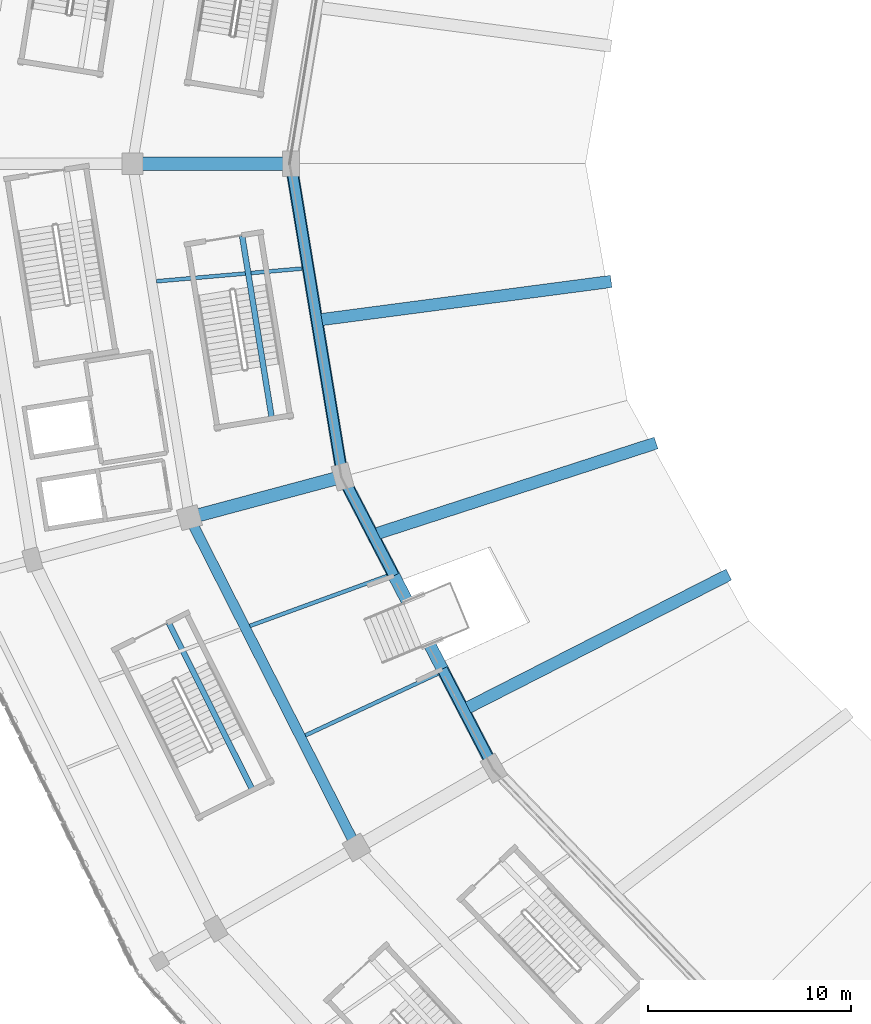
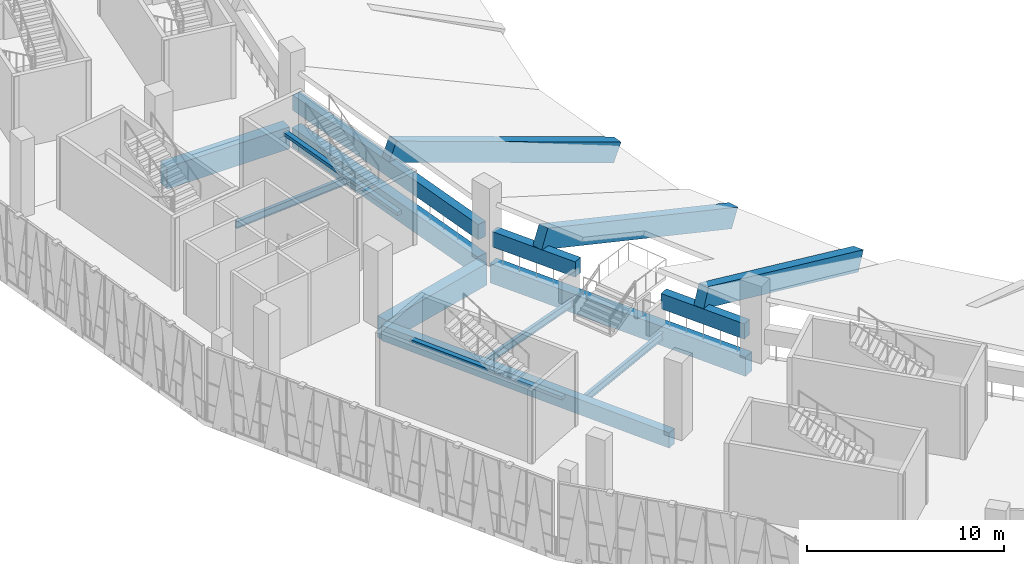
# One storey, part 21 of 183: 16 beams.
"""IFC4 building model written with IfcOpenShell, lengths in metres."""

from ifc_helpers import new_model, si_unit, direction, frame, origin, origin_2d, place, context, subcontext, project, spatial, rectangle, i_section, extrude, material, material_profile, profile_set, type_object, element, save


model = new_model("IFC4")

# Units and contexts
model_context = context("Model", 3, precision=1e-05, world=origin(), true_north=direction((0.0, 1.0)))
body_context = subcontext(model_context, "Body", "Model", "MODEL_VIEW")
ifc_project = project(units=[si_unit("LENGTHUNIT", "METRE"), si_unit("AREAUNIT", "SQUARE_METRE"), si_unit("VOLUMEUNIT", "CUBIC_METRE"), si_unit("PLANEANGLEUNIT", "RADIAN"), si_unit("MASSUNIT", "GRAM", prefix="KILO")], contexts=[model_context])

# Site, building, storey
site_placement = place(None, origin())
site = spatial("IfcSite", under=ifc_project, at=site_placement, CompositionType="ELEMENT")
building_placement = place(site_placement, origin())
building = spatial("IfcBuilding", under=site, at=building_placement, Name="Zevraka Park Crest Stadium", CompositionType="ELEMENT")
storey_placement = place(building_placement, frame((0.0, 0.0, 5.39990234375)))
storey = spatial("IfcBuildingStorey", under=building, at=storey_placement, Name="L01", CompositionType="ELEMENT", Elevation=5.39990234375)

# Beams
ifc_material_1 = material(Name="Concrete C40/50", Category="concrete")
ifc_material_profile_1 = material_profile(ifc_material_1, rectangle(XDim=0.64990234375, YDim=1.35009765625, at=origin_2d()), Name="RC 1350x650")
ifc_profile_set_1 = profile_set([ifc_material_profile_1], Name="Concrete C40/50")
beam_type_1 = type_object("IfcBeamType", Name="BG01", PredefinedType="BEAM", material=ifc_profile_set_1)
beam_1_placement = place(storey_placement, frame((37.199951171875, 92.0, -0.684814453125), z_axis=(-1.0, 0.0, 0.0), x_axis=(0.0, -1.0, 0.0)))
element("IfcBeam", 1, at=beam_1_placement, inside=storey, type_object=beam_type_1, Name="Radial Girder BG01 L01-BC-12", PredefinedType="BEAM", context=body_context, shape_type="SweptSolid", body=[
    extrude(rectangle(XDim=0.64990234375, YDim=1.35009765625, at=origin_2d()), origin(), (0.0, 0.0, 1.0), 7.199951171875),
])
beam_2_placement = place(storey_placement, frame((39.7490234375, 76.52197265625, -0.684814453125), z_axis=(-0.965945630245, -0.258745124417, 0.0), x_axis=(0.258745124417, -0.965945630245, 0.0)))
element("IfcBeam", 2, at=beam_2_placement, inside=storey, type_object=beam_type_1, Name="Radial Girder BG01 L01-BC-13", PredefinedType="BEAM", context=body_context, shape_type="SweptSolid", body=[
    extrude(rectangle(XDim=0.64990234375, YDim=1.35009765625, at=origin_2d()), origin(), (0.0, 0.0, 1.0), 7.2001953125),
])
ifc_material_2 = material(Name="Concrete C40/50", Category="concrete")
ifc_material_profile_2 = material_profile(ifc_material_2, rectangle(XDim=0.60009765625, YDim=1.199951171875, at=origin_2d()), Name="RC 1200x600")
ifc_profile_set_2 = profile_set([ifc_material_profile_2], Name="Concrete C40/50")
beam_type_2 = type_object("IfcBeamType", Name="RB01", PredefinedType="BEAM", material=ifc_profile_set_2)
beam_3_placement = place(storey_placement, frame((37.56201171875, 91.625, -0.60986328125), z_axis=(0.162654875862, -0.986683024764, 0.0), x_axis=(0.986683024764, 0.162654875862, 0.0)))
element("IfcBeam", 3, at=beam_3_placement, inside=storey, type_object=beam_type_2, Name="Ring Beam RB01 L01-B-12", PredefinedType="BEAM", context=body_context, shape_type="SweptSolid", body=[
    extrude(rectangle(XDim=0.60009765625, YDim=1.199951171875, at=origin_2d()), origin(), (0.0, 0.0, 1.0), 14.84765625),
])
beam_4_placement = place(storey_placement, frame((40.214111328125, 76.262939453125, -0.60986328125), z_axis=(0.460343993973, -0.887740619333, 0.0), x_axis=(0.887740619333, 0.460343993973, 0.0)))
element("IfcBeam", 4, at=beam_4_placement, inside=storey, type_object=beam_type_2, Name="Ring Beam RB01 L01-B-13", PredefinedType="BEAM", context=body_context, shape_type="SweptSolid", body=[
    extrude(rectangle(XDim=0.60009765625, YDim=1.199951171875, at=origin_2d()), origin(), (0.0, 0.0, 1.0), 15.405517578125),
])
ifc_material_3 = material(Name="Concrete C40/50", Category="concrete")
ifc_material_profile_3 = material_profile(ifc_material_3, rectangle(XDim=0.5, YDim=0.949951171875, at=origin_2d()), Name="RC 950x500")
ifc_profile_set_3 = profile_set([ifc_material_profile_3], Name="Concrete C40/50")
beam_type_3 = type_object("IfcBeamType", Name="RB02", PredefinedType="BEAM", material=ifc_profile_set_3)
beam_5_placement = place(storey_placement, frame((32.676025390625, 74.241943359375, -0.48486328125), z_axis=(0.451862275442, -0.892087710953, 0.0), x_axis=(0.892087710953, 0.451862275442, 0.0)))
element("IfcBeam", 5, at=beam_5_placement, inside=storey, type_object=beam_type_3, Name="Ring Beam RB02 L01-C-13", PredefinedType="BEAM", context=body_context, shape_type="SweptSolid", body=[
    extrude(rectangle(XDim=0.5, YDim=0.949951171875, at=origin_2d()), origin(), (0.0, 0.0, 1.0), 17.434326171875),
])
beam_6_placement = place(storey_placement, frame((37.56201171875, 91.625, 1.505126953125), z_axis=(0.162654875862, -0.986683024764, 0.0), x_axis=(0.986683024764, 0.162654875862, 0.0)))
element("IfcBeam", 6, at=beam_6_placement, inside=storey, type_object=beam_type_3, Name="Lower Tier Head Raker Ring Beam RB02 12", PredefinedType="BEAM", context=body_context, shape_type="SweptSolid", body=[
    extrude(rectangle(XDim=0.5, YDim=0.949951171875, at=origin_2d()), origin(), (0.0, 0.0, 1.0), 14.84765625),
])
for number, where, z_axis, x_axis, name in (
    (7, (40.261962890625, 76.169921875, 1.505126953125), (0.46035697865, -0.887733885919, 0.0), (0.887733885919, 0.46035697865, 0.0), "Lower Tier Head Raker Ring Beam RB02 13-1"),
    (8, (44.950927734375, 67.12890625, 1.505126953125), (0.46035697865, -0.887733885919, 0.0), (0.887733885919, 0.46035697865, 0.0), "Lower Tier Head Raker Ring Beam RB02 13-2"),
):
    element("IfcBeam", number, at=place(storey_placement, frame(where, z_axis=z_axis, x_axis=x_axis)), inside=storey, type_object=beam_type_3, Name=name, PredefinedType="BEAM", context=body_context, shape_type="SweptSolid", body=[
        extrude(rectangle(XDim=0.5, YDim=0.949951171875, at=origin_2d()), origin(), (0.0, 0.0, 1.0), 5.01171875),
    ])
ifc_material_4 = material(Name="Concrete C40/50", Category="concrete")
ifc_material_profile_4 = material_profile(ifc_material_4, rectangle(XDim=0.60009765625, YDim=1.199951171875, at=origin_2d()), Name="RC 1200x600")
ifc_profile_set_4 = profile_set([ifc_material_profile_4], Name="Concrete C40/50")
beam_type_4 = type_object("IfcBeamType", Name="RK01", PredefinedType="BEAM", material=ifc_profile_set_4)
beam_7_placement = place(storey_placement, frame((53.02197265625, 86.176025390625, -3.64990234375), z_axis=(-0.910611549195, -0.119863285323, 0.395498924529), x_axis=(0.130503718104, -0.991447819888, 0.0)))
element("IfcBeam", 9, at=beam_7_placement, inside=storey, type_object=beam_type_4, Name="Lower Bowl Raker Girder RK01 12", PredefinedType="BEAM", context=body_context, shape_type="SweptSolid", body=[
    extrude(rectangle(XDim=0.60009765625, YDim=1.199951171875, at=origin_2d()), origin(), (0.0, 0.0, 1.0), 15.65087890625),
])
beam_8_placement = place(storey_placement, frame((55.242919921875, 78.181884765625, -3.64990234375), z_axis=(-0.874029568253, -0.283694004576, 0.394449015192), x_axis=(0.308726195059, -0.951150953574, 0.0)))
element("IfcBeam", 10, at=beam_8_placement, inside=storey, type_object=beam_type_4, Name="Lower Bowl Raker Girder RK01 13-1", PredefinedType="BEAM", context=body_context, shape_type="SweptSolid", body=[
    extrude(rectangle(XDim=0.60009765625, YDim=1.199951171875, at=origin_2d()), origin(), (0.0, 0.0, 1.0), 15.692626953125),
])
beam_9_placement = place(storey_placement, frame((58.839111328125, 71.6708984375, -3.64990234375), z_axis=(-0.818622825899, -0.417448167253, 0.394453668476), x_axis=(0.454283355914, -0.890857245881, 0.0)))
element("IfcBeam", 11, at=beam_9_placement, inside=storey, type_object=beam_type_4, Name="Lower Bowl Raker Girder RK01 13-2", PredefinedType="BEAM", context=body_context, shape_type="SweptSolid", body=[
    extrude(rectangle(XDim=0.60009765625, YDim=1.199951171875, at=origin_2d()), origin(), (0.0, 0.0, 1.0), 15.6923828125),
])
ifc_material_5 = material(Name="Steel S355", Category="steel")
ifc_material_profile_5 = material_profile(ifc_material_5, i_section(OverallWidth=0.18994140625, OverallDepth=0.449951171875, WebThickness=0.009521484375, FlangeThickness=0.0146484375, at=origin_2d()), Name="IPE 450")
ifc_profile_set_5 = profile_set([ifc_material_profile_5], Name="Steel S355")
beam_type_5 = type_object("IfcBeamType", Name="SJ03", PredefinedType="JOIST", material=ifc_profile_set_5)
beam_10_placement = place(storey_placement, frame((38.032958984375, 86.839111328125, -0.532958984375), z_axis=(-0.996217334877, -0.086896614952, 0.0), x_axis=(0.086896614952, -0.996217334877, 0.0)))
element("IfcBeam", 12, at=beam_10_placement, inside=storey, type_object=beam_type_5, Name="Floor Joist SJ03 L01-BC-12-1", PredefinedType="JOIST", context=body_context, shape_type="SweptSolid", body=[
    extrude(i_section(OverallWidth=0.18994140625, OverallDepth=0.449951171875, WebThickness=0.009521484375, FlangeThickness=0.0146484375, at=origin_2d()), origin(), (0.0, 0.0, 1.0), 7.18115234375),
])
beam_11_placement = place(storey_placement, frame((42.22412109375, 71.708984375, -0.532958984375), z_axis=(-0.939753715128, -0.34185224133, 0.0), x_axis=(0.34185224133, -0.939753715128, 0.0)))
element("IfcBeam", 13, at=beam_11_placement, inside=storey, type_object=beam_type_5, Name="Floor Joist SJ03 L01-BC-13-1", PredefinedType="JOIST", context=body_context, shape_type="SweptSolid", body=[
    extrude(i_section(OverallWidth=0.18994140625, OverallDepth=0.449951171875, WebThickness=0.009521484375, FlangeThickness=0.0146484375, at=origin_2d()), origin(), (0.0, 0.0, 1.0), 7.181640625),
])
beam_12_placement = place(storey_placement, frame((44.715087890625, 66.89990234375, -0.532958984375), z_axis=(-0.906247400476, -0.422747736989, 0.0), x_axis=(0.422747736989, -0.906247400476, 0.0)))
element("IfcBeam", 14, at=beam_12_placement, inside=storey, type_object=beam_type_5, Name="Floor Joist SJ03 L01-BC-13-2", PredefinedType="JOIST", context=body_context, shape_type="SweptSolid", body=[
    extrude(i_section(OverallWidth=0.18994140625, OverallDepth=0.449951171875, WebThickness=0.009521484375, FlangeThickness=0.0146484375, at=origin_2d()), origin(), (0.0, 0.0, 1.0), 7.181396484375),
])
ifc_material_6 = material(Name="Concrete C40/50", Category="concrete")
ifc_material_profile_6 = material_profile(ifc_material_6, rectangle(XDim=0.280029296875, YDim=0.199951171875, at=origin_2d()), Name="RC 200x280")
ifc_profile_set_6 = profile_set([ifc_material_profile_6], Name="Concrete C40/50")
beam_type_6 = type_object("IfcBeamType", Name="SJ13", PredefinedType="JOIST", material=ifc_profile_set_6)
beam_13_placement = place(storey_placement, frame((31.481201171875, 69.408447265625, 2.300048828125), z_axis=(0.447920796254, -0.894073241006, 0.0), x_axis=(0.894073241006, 0.447920796254, 0.0)))
element("IfcBeam", 15, at=beam_13_placement, inside=storey, type_object=beam_type_6, Name="Stair Upper-Flight Longitudinal Stringer SJ13 ST14-L01", PredefinedType="JOIST", context=body_context, shape_type="SweptSolid", body=[
    extrude(rectangle(XDim=0.280029296875, YDim=0.199951171875, at=origin_2d()), origin(), (0.0, 0.0, 1.0), 9.25),
])
beam_14_placement = place(storey_placement, frame((35.09375, 88.4560546875, 2.300048828125), z_axis=(0.160707035853, -0.987002152291, 0.0), x_axis=(0.987002152291, 0.160707035853, 0.0)))
element("IfcBeam", 16, at=beam_14_placement, inside=storey, type_object=beam_type_6, Name="Stair Upper-Flight Longitudinal Stringer SJ13 ST39-L01", PredefinedType="JOIST", context=body_context, shape_type="SweptSolid", body=[
    extrude(rectangle(XDim=0.280029296875, YDim=0.199951171875, at=origin_2d()), origin(), (0.0, 0.0, 1.0), 9.14990234375),
])

save(model, "model.ifc")
